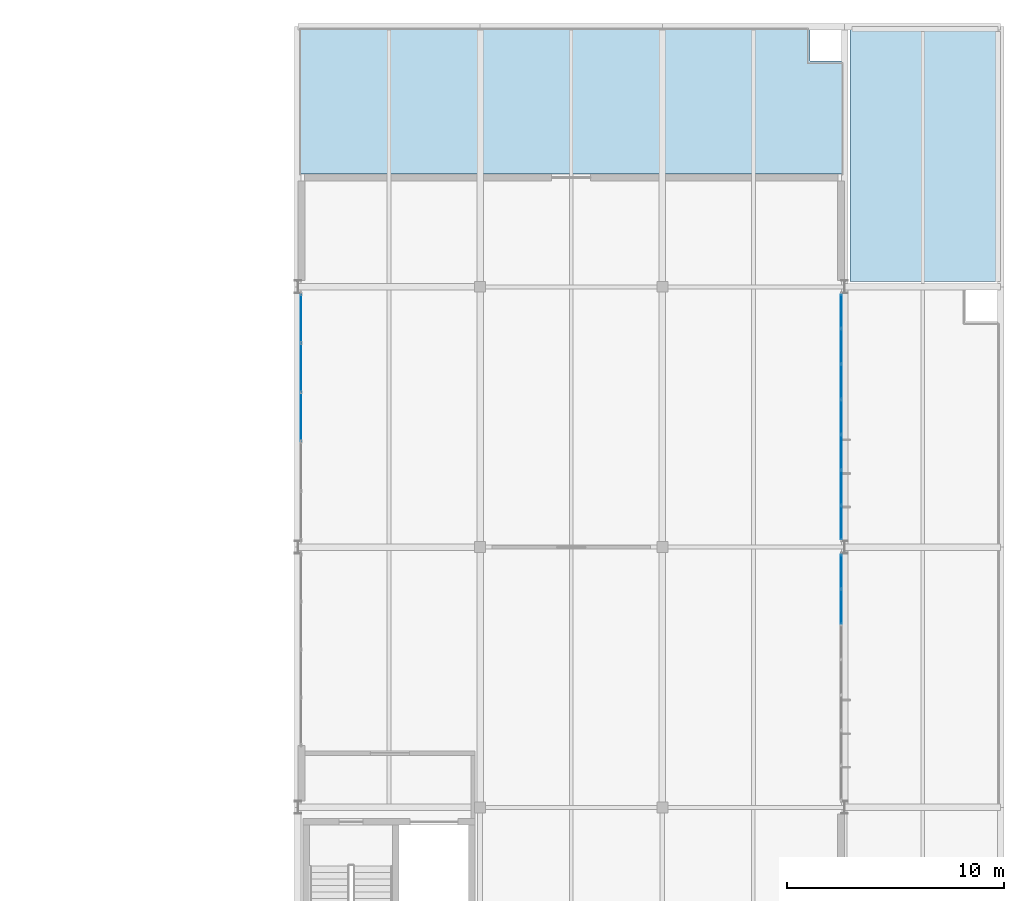
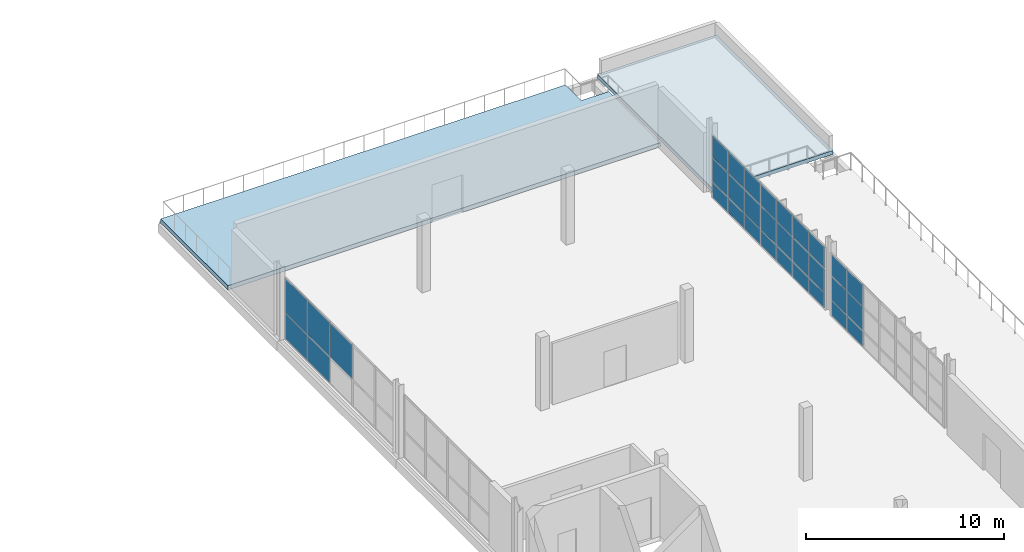
# One storey, part 92 of 109: 32 plates, 2 slabs, 3 elements without a shape of their own.
"""IFC4 building model written with IfcOpenShell, lengths in metres."""

from ifc_helpers import new_model, si_unit, direction, frame, origin, origin_2d, place, context, subcontext, project, spatial, polyline, rectangle, outline, extrude, material, layer, layer_set, type_object, element, aggregate, save


model = new_model("IFC4")

# Units and contexts
model_context = context("Model", 3, precision=1e-05, world=origin(), true_north=direction((0.0, 1.0)))
body_context = subcontext(model_context, "Body", "Model", "MODEL_VIEW")
ifc_project = project(units=[si_unit("LENGTHUNIT", "METRE"), si_unit("AREAUNIT", "SQUARE_METRE"), si_unit("VOLUMEUNIT", "CUBIC_METRE"), si_unit("PLANEANGLEUNIT", "RADIAN"), si_unit("MASSUNIT", "GRAM", prefix="KILO")], contexts=[model_context])

# Site, building, storey
site_placement = place(None, origin())
site = spatial("IfcSite", under=ifc_project, at=site_placement, CompositionType="ELEMENT")
building_placement = place(site_placement, origin())
building = spatial("IfcBuilding", under=site, at=building_placement, Name="Veltarok Museum of Natural Sciences", CompositionType="ELEMENT")
storey_placement = place(building_placement, frame((0.0, 0.0, 17.39990234375)))
storey = spatial("IfcBuildingStorey", under=building, at=storey_placement, Name="L03", CompositionType="ELEMENT", Elevation=17.39990234375)

# Slabs
ifc_material_1 = material(Name="Concrete C35/45", Category="concrete")
ifc_layer_1 = layer(ifc_material_1, 0.239990234375)
ifc_layer_set_1 = layer_set([ifc_layer_1], Name="Concrete C35/45")
slab_type_1 = type_object("IfcSlabType", Name="Insulated Flat Wing Roof Slab 240", PredefinedType="ROOF", material=ifc_layer_set_1)
slab_1_placement = place(storey_placement, frame((0.0, 0.0, -0.239990234375)))
element("IfcSlab", 1, at=slab_1_placement, inside=storey, type_object=slab_type_1, Name="Flat Wing Roof Slab RF-V5NE", PredefinedType="ROOF", context=body_context, shape_type="SweptSolid", body=[
    extrude(outline(polyline([(157.85009765625, 60.25), (157.85009765625, 72.0), (164.800048828125, 72.0), (164.800048828125, 60.25), (157.85009765625, 60.25)])), origin(), (0.0, 0.0, 1.0), 0.239990234375),
])
ifc_layer_2 = layer(ifc_material_1, 0.260009765625)
ifc_layer_set_2 = layer_set([ifc_layer_2], Name="Concrete C35/45")
slab_type_2 = type_object("IfcSlabType", Name="Insulated Walkable Terrace Deck Slab 260", PredefinedType="FLOOR", material=ifc_layer_set_2)
slab_2_placement = place(storey_placement, frame((0.0, 0.0, -0.260009765625)))
element("IfcSlab", 2, at=slab_2_placement, inside=storey, type_object=slab_type_2, Name="East Stepped Botanical Terrace", PredefinedType="FLOOR", context=body_context, shape_type="SweptSolid", body=[
    extrude(outline(polyline([(132.39990234375, 65.199951171875), (157.60009765625, 65.199951171875), (157.60009765625, 70.39990234375), (156.0, 70.39990234375), (156.0, 72.0), (132.39990234375, 72.0), (132.39990234375, 65.199951171875)])), origin(), (0.0, 0.0, 1.0), 0.260009765625),
])

# Curtain wall, plates
ifc_material_2 = material(Name="Low-iron triple insulated glass", Category="glass")
curtain_wall_type_1 = type_object("IfcCurtainWallType", Name="Curtain Wall System CW-V5E-L03-E-1140x388 (V5 East Lab L03 E-F 1140x388cm)", PredefinedType="NOTDEFINED", material=ifc_material_2)
curtain_wall_1_placement = place(storey_placement, origin())
curtain_wall_1 = element("IfcCurtainWall", 3, at=curtain_wall_1_placement, inside=storey, type_object=curtain_wall_type_1, Name="Curtain Wall CW-V5E-L03-E-1140x388 CW-0118", PredefinedType="NOTDEFINED")
ifc_layer_3 = layer(ifc_material_2, 0.028076171875)
ifc_layer_set_3 = layer_set([ifc_layer_3], Name="Low-iron triple insulated glass")
plate_type = type_object("IfcPlateType", Name="Triple Low-Iron Glazed Vision Panel 28", PredefinedType="CURTAIN_PANEL", material=ifc_layer_set_3)
plate_1_placement = place(storey_placement, frame((157.449951171875, 45.257080078125, 0.06005859375), z_axis=(0.0, 0.0, 1.0), x_axis=(0.0, 1.0, 0.0)))
plate_1 = element("IfcPlate", 4, at=plate_1_placement, type_object=plate_type, Name="CW-V5E-L03-E-1140x388 panel 6.1", PredefinedType="CURTAIN_PANEL", context=body_context, shape_type="SweptSolid", body=[
    extrude(rectangle(XDim=1.568603515625, YDim=0.028076171875, at=origin_2d()), origin(), (0.0, 0.0, 1.0), 0.909912109375),
])
plate_2_placement = place(storey_placement, frame((157.449951171875, 45.257080078125, 1.030029296875), z_axis=(0.0, 0.0, 1.0), x_axis=(0.0, 1.0, 0.0)))
plate_2 = element("IfcPlate", 5, at=plate_2_placement, type_object=plate_type, Name="CW-V5E-L03-E-1140x388 panel 6.2", PredefinedType="CURTAIN_PANEL", context=body_context, shape_type="SweptSolid", body=[
    extrude(rectangle(XDim=1.568603515625, YDim=0.028076171875, at=origin_2d()), origin(), (0.0, 0.0, 1.0), 1.43994140625),
])
plate_3_placement = place(storey_placement, frame((157.449951171875, 45.257080078125, 2.530029296875), z_axis=(0.0, 0.0, 1.0), x_axis=(0.0, 1.0, 0.0)))
plate_3 = element("IfcPlate", 6, at=plate_3_placement, type_object=plate_type, Name="CW-V5E-L03-E-1140x388 panel 6.3", PredefinedType="CURTAIN_PANEL", context=body_context, shape_type="SweptSolid", body=[
    extrude(rectangle(XDim=1.568603515625, YDim=0.028076171875, at=origin_2d()), origin(), (0.0, 0.0, 1.0), 1.2900390625),
])
plate_4_placement = place(storey_placement, frame((157.449951171875, 46.87060546875, 0.06005859375), z_axis=(0.0, 0.0, 1.0), x_axis=(0.0, 1.0, 0.0)))
plate_4 = element("IfcPlate", 7, at=plate_4_placement, type_object=plate_type, Name="CW-V5E-L03-E-1140x388 panel 7.1", PredefinedType="CURTAIN_PANEL", context=body_context, shape_type="SweptSolid", body=[
    extrude(rectangle(XDim=1.53857421875, YDim=0.028076171875, at=origin_2d()), origin(), (0.0, 0.0, 1.0), 0.909912109375),
])
plate_5_placement = place(storey_placement, frame((157.449951171875, 46.87060546875, 1.030029296875), z_axis=(0.0, 0.0, 1.0), x_axis=(0.0, 1.0, 0.0)))
plate_5 = element("IfcPlate", 8, at=plate_5_placement, type_object=plate_type, Name="CW-V5E-L03-E-1140x388 panel 7.2", PredefinedType="CURTAIN_PANEL", context=body_context, shape_type="SweptSolid", body=[
    extrude(rectangle(XDim=1.53857421875, YDim=0.028076171875, at=origin_2d()), origin(), (0.0, 0.0, 1.0), 1.43994140625),
])
plate_6_placement = place(storey_placement, frame((157.449951171875, 46.87060546875, 2.530029296875), z_axis=(0.0, 0.0, 1.0), x_axis=(0.0, 1.0, 0.0)))
plate_6 = element("IfcPlate", 9, at=plate_6_placement, type_object=plate_type, Name="CW-V5E-L03-E-1140x388 panel 7.3", PredefinedType="CURTAIN_PANEL", context=body_context, shape_type="SweptSolid", body=[
    extrude(rectangle(XDim=1.53857421875, YDim=0.028076171875, at=origin_2d()), origin(), (0.0, 0.0, 1.0), 1.2900390625),
])
aggregate(curtain_wall_1, [plate_1, plate_2, plate_3, plate_4, plate_5, plate_6])

curtain_wall_type_2 = type_object("IfcCurtainWallType", Name="Curtain Wall System CW-V5E-L03-F-1140x388 (V5 East Lab L03 F-G 1140x388cm)", PredefinedType="NOTDEFINED", material=ifc_material_2)
curtain_wall_2_placement = place(storey_placement, origin())
curtain_wall_2 = element("IfcCurtainWall", 10, at=curtain_wall_2_placement, inside=storey, type_object=curtain_wall_type_2, Name="Curtain Wall CW-V5E-L03-F-1140x388 CW-0119", PredefinedType="NOTDEFINED")
plate_7_placement = place(storey_placement, frame((157.449951171875, 49.12939453125, 0.06005859375), z_axis=(0.0, 0.0, 1.0), x_axis=(0.0, 1.0, 0.0)))
plate_7 = element("IfcPlate", 11, at=plate_7_placement, type_object=plate_type, Name="CW-V5E-L03-F-1140x388 panel 1.1", PredefinedType="CURTAIN_PANEL", context=body_context, shape_type="SweptSolid", body=[
    extrude(rectangle(XDim=1.53857421875, YDim=0.028076171875, at=origin_2d()), origin(), (0.0, 0.0, 1.0), 0.909912109375),
])
plate_8_placement = place(storey_placement, frame((157.449951171875, 49.12939453125, 1.030029296875), z_axis=(0.0, 0.0, 1.0), x_axis=(0.0, 1.0, 0.0)))
plate_8 = element("IfcPlate", 12, at=plate_8_placement, type_object=plate_type, Name="CW-V5E-L03-F-1140x388 panel 1.2", PredefinedType="CURTAIN_PANEL", context=body_context, shape_type="SweptSolid", body=[
    extrude(rectangle(XDim=1.53857421875, YDim=0.028076171875, at=origin_2d()), origin(), (0.0, 0.0, 1.0), 1.43994140625),
])
plate_9_placement = place(storey_placement, frame((157.449951171875, 49.12939453125, 2.530029296875), z_axis=(0.0, 0.0, 1.0), x_axis=(0.0, 1.0, 0.0)))
plate_9 = element("IfcPlate", 13, at=plate_9_placement, type_object=plate_type, Name="CW-V5E-L03-F-1140x388 panel 1.3", PredefinedType="CURTAIN_PANEL", context=body_context, shape_type="SweptSolid", body=[
    extrude(rectangle(XDim=1.53857421875, YDim=0.028076171875, at=origin_2d()), origin(), (0.0, 0.0, 1.0), 1.2900390625),
])
plate_10_placement = place(storey_placement, frame((157.449951171875, 50.742919921875, 0.06005859375), z_axis=(0.0, 0.0, 1.0), x_axis=(0.0, 1.0, 0.0)))
plate_10 = element("IfcPlate", 14, at=plate_10_placement, type_object=plate_type, Name="CW-V5E-L03-F-1140x388 panel 2.1", PredefinedType="CURTAIN_PANEL", context=body_context, shape_type="SweptSolid", body=[
    extrude(rectangle(XDim=1.568603515625, YDim=0.028076171875, at=origin_2d()), origin(), (0.0, 0.0, 1.0), 0.909912109375),
])
plate_11_placement = place(storey_placement, frame((157.449951171875, 50.742919921875, 1.030029296875), z_axis=(0.0, 0.0, 1.0), x_axis=(0.0, 1.0, 0.0)))
plate_11 = element("IfcPlate", 15, at=plate_11_placement, type_object=plate_type, Name="CW-V5E-L03-F-1140x388 panel 2.2", PredefinedType="CURTAIN_PANEL", context=body_context, shape_type="SweptSolid", body=[
    extrude(rectangle(XDim=1.568603515625, YDim=0.028076171875, at=origin_2d()), origin(), (0.0, 0.0, 1.0), 1.43994140625),
])
plate_12_placement = place(storey_placement, frame((157.449951171875, 50.742919921875, 2.530029296875), z_axis=(0.0, 0.0, 1.0), x_axis=(0.0, 1.0, 0.0)))
plate_12 = element("IfcPlate", 16, at=plate_12_placement, type_object=plate_type, Name="CW-V5E-L03-F-1140x388 panel 2.3", PredefinedType="CURTAIN_PANEL", context=body_context, shape_type="SweptSolid", body=[
    extrude(rectangle(XDim=1.568603515625, YDim=0.028076171875, at=origin_2d()), origin(), (0.0, 0.0, 1.0), 1.2900390625),
])
plate_13_placement = place(storey_placement, frame((157.449951171875, 52.371337890625, 0.06005859375), z_axis=(0.0, 0.0, 1.0), x_axis=(0.0, 1.0, 0.0)))
plate_13 = element("IfcPlate", 17, at=plate_13_placement, type_object=plate_type, Name="CW-V5E-L03-F-1140x388 panel 3.1", PredefinedType="CURTAIN_PANEL", context=body_context, shape_type="SweptSolid", body=[
    extrude(rectangle(XDim=1.568603515625, YDim=0.028076171875, at=origin_2d()), origin(), (0.0, 0.0, 1.0), 0.909912109375),
])
plate_14_placement = place(storey_placement, frame((157.449951171875, 52.371337890625, 1.030029296875), z_axis=(0.0, 0.0, 1.0), x_axis=(0.0, 1.0, 0.0)))
plate_14 = element("IfcPlate", 18, at=plate_14_placement, type_object=plate_type, Name="CW-V5E-L03-F-1140x388 panel 3.2", PredefinedType="CURTAIN_PANEL", context=body_context, shape_type="SweptSolid", body=[
    extrude(rectangle(XDim=1.568603515625, YDim=0.028076171875, at=origin_2d()), origin(), (0.0, 0.0, 1.0), 1.43994140625),
])
plate_15_placement = place(storey_placement, frame((157.449951171875, 52.371337890625, 2.530029296875), z_axis=(0.0, 0.0, 1.0), x_axis=(0.0, 1.0, 0.0)))
plate_15 = element("IfcPlate", 19, at=plate_15_placement, type_object=plate_type, Name="CW-V5E-L03-F-1140x388 panel 3.3", PredefinedType="CURTAIN_PANEL", context=body_context, shape_type="SweptSolid", body=[
    extrude(rectangle(XDim=1.568603515625, YDim=0.028076171875, at=origin_2d()), origin(), (0.0, 0.0, 1.0), 1.2900390625),
])
plate_16_placement = place(storey_placement, frame((157.449951171875, 54.0, 0.06005859375), z_axis=(0.0, 0.0, 1.0), x_axis=(0.0, 1.0, 0.0)))
plate_16 = element("IfcPlate", 20, at=plate_16_placement, type_object=plate_type, Name="CW-V5E-L03-F-1140x388 panel 4.1", PredefinedType="CURTAIN_PANEL", context=body_context, shape_type="SweptSolid", body=[
    extrude(rectangle(XDim=1.568603515625, YDim=0.028076171875, at=origin_2d()), origin(), (0.0, 0.0, 1.0), 0.909912109375),
])
plate_17_placement = place(storey_placement, frame((157.449951171875, 54.0, 1.030029296875), z_axis=(0.0, 0.0, 1.0), x_axis=(0.0, 1.0, 0.0)))
plate_17 = element("IfcPlate", 21, at=plate_17_placement, type_object=plate_type, Name="CW-V5E-L03-F-1140x388 panel 4.2", PredefinedType="CURTAIN_PANEL", context=body_context, shape_type="SweptSolid", body=[
    extrude(rectangle(XDim=1.568603515625, YDim=0.028076171875, at=origin_2d()), origin(), (0.0, 0.0, 1.0), 1.43994140625),
])
plate_18_placement = place(storey_placement, frame((157.449951171875, 54.0, 2.530029296875), z_axis=(0.0, 0.0, 1.0), x_axis=(0.0, 1.0, 0.0)))
plate_18 = element("IfcPlate", 22, at=plate_18_placement, type_object=plate_type, Name="CW-V5E-L03-F-1140x388 panel 4.3", PredefinedType="CURTAIN_PANEL", context=body_context, shape_type="SweptSolid", body=[
    extrude(rectangle(XDim=1.568603515625, YDim=0.028076171875, at=origin_2d()), origin(), (0.0, 0.0, 1.0), 1.2900390625),
])
plate_19_placement = place(storey_placement, frame((157.449951171875, 55.628662109375, 0.06005859375), z_axis=(0.0, 0.0, 1.0), x_axis=(0.0, 1.0, 0.0)))
plate_19 = element("IfcPlate", 23, at=plate_19_placement, type_object=plate_type, Name="CW-V5E-L03-F-1140x388 panel 5.1", PredefinedType="CURTAIN_PANEL", context=body_context, shape_type="SweptSolid", body=[
    extrude(rectangle(XDim=1.568603515625, YDim=0.028076171875, at=origin_2d()), origin(), (0.0, 0.0, 1.0), 0.909912109375),
])
plate_20_placement = place(storey_placement, frame((157.449951171875, 55.628662109375, 1.030029296875), z_axis=(0.0, 0.0, 1.0), x_axis=(0.0, 1.0, 0.0)))
plate_20 = element("IfcPlate", 24, at=plate_20_placement, type_object=plate_type, Name="CW-V5E-L03-F-1140x388 panel 5.2", PredefinedType="CURTAIN_PANEL", context=body_context, shape_type="SweptSolid", body=[
    extrude(rectangle(XDim=1.568603515625, YDim=0.028076171875, at=origin_2d()), origin(), (0.0, 0.0, 1.0), 1.43994140625),
])
plate_21_placement = place(storey_placement, frame((157.449951171875, 55.628662109375, 2.530029296875), z_axis=(0.0, 0.0, 1.0), x_axis=(0.0, 1.0, 0.0)))
plate_21 = element("IfcPlate", 25, at=plate_21_placement, type_object=plate_type, Name="CW-V5E-L03-F-1140x388 panel 5.3", PredefinedType="CURTAIN_PANEL", context=body_context, shape_type="SweptSolid", body=[
    extrude(rectangle(XDim=1.568603515625, YDim=0.028076171875, at=origin_2d()), origin(), (0.0, 0.0, 1.0), 1.2900390625),
])
plate_22_placement = place(storey_placement, frame((157.449951171875, 57.257080078125, 0.06005859375), z_axis=(0.0, 0.0, 1.0), x_axis=(0.0, 1.0, 0.0)))
plate_22 = element("IfcPlate", 26, at=plate_22_placement, type_object=plate_type, Name="CW-V5E-L03-F-1140x388 panel 6.1", PredefinedType="CURTAIN_PANEL", context=body_context, shape_type="SweptSolid", body=[
    extrude(rectangle(XDim=1.568603515625, YDim=0.028076171875, at=origin_2d()), origin(), (0.0, 0.0, 1.0), 0.909912109375),
])
plate_23_placement = place(storey_placement, frame((157.449951171875, 57.257080078125, 1.030029296875), z_axis=(0.0, 0.0, 1.0), x_axis=(0.0, 1.0, 0.0)))
plate_23 = element("IfcPlate", 27, at=plate_23_placement, type_object=plate_type, Name="CW-V5E-L03-F-1140x388 panel 6.2", PredefinedType="CURTAIN_PANEL", context=body_context, shape_type="SweptSolid", body=[
    extrude(rectangle(XDim=1.568603515625, YDim=0.028076171875, at=origin_2d()), origin(), (0.0, 0.0, 1.0), 1.43994140625),
])
plate_24_placement = place(storey_placement, frame((157.449951171875, 57.257080078125, 2.530029296875), z_axis=(0.0, 0.0, 1.0), x_axis=(0.0, 1.0, 0.0)))
plate_24 = element("IfcPlate", 28, at=plate_24_placement, type_object=plate_type, Name="CW-V5E-L03-F-1140x388 panel 6.3", PredefinedType="CURTAIN_PANEL", context=body_context, shape_type="SweptSolid", body=[
    extrude(rectangle(XDim=1.568603515625, YDim=0.028076171875, at=origin_2d()), origin(), (0.0, 0.0, 1.0), 1.2900390625),
])
plate_25_placement = place(storey_placement, frame((157.449951171875, 58.87060546875, 0.06005859375), z_axis=(0.0, 0.0, 1.0), x_axis=(0.0, 1.0, 0.0)))
plate_25 = element("IfcPlate", 29, at=plate_25_placement, type_object=plate_type, Name="CW-V5E-L03-F-1140x388 panel 7.1", PredefinedType="CURTAIN_PANEL", context=body_context, shape_type="SweptSolid", body=[
    extrude(rectangle(XDim=1.53857421875, YDim=0.028076171875, at=origin_2d()), origin(), (0.0, 0.0, 1.0), 0.909912109375),
])
plate_26_placement = place(storey_placement, frame((157.449951171875, 58.87060546875, 1.030029296875), z_axis=(0.0, 0.0, 1.0), x_axis=(0.0, 1.0, 0.0)))
plate_26 = element("IfcPlate", 30, at=plate_26_placement, type_object=plate_type, Name="CW-V5E-L03-F-1140x388 panel 7.2", PredefinedType="CURTAIN_PANEL", context=body_context, shape_type="SweptSolid", body=[
    extrude(rectangle(XDim=1.53857421875, YDim=0.028076171875, at=origin_2d()), origin(), (0.0, 0.0, 1.0), 1.43994140625),
])
plate_27_placement = place(storey_placement, frame((157.449951171875, 58.87060546875, 2.530029296875), z_axis=(0.0, 0.0, 1.0), x_axis=(0.0, 1.0, 0.0)))
plate_27 = element("IfcPlate", 31, at=plate_27_placement, type_object=plate_type, Name="CW-V5E-L03-F-1140x388 panel 7.3", PredefinedType="CURTAIN_PANEL", context=body_context, shape_type="SweptSolid", body=[
    extrude(rectangle(XDim=1.53857421875, YDim=0.028076171875, at=origin_2d()), origin(), (0.0, 0.0, 1.0), 1.2900390625),
])
aggregate(curtain_wall_2, [plate_7, plate_8, plate_9, plate_10, plate_11, plate_12, plate_13, plate_14, plate_15, plate_16, plate_17, plate_18, plate_19, plate_20, plate_21, plate_22, plate_23, plate_24, plate_25, plate_26, plate_27])

curtain_wall_type_3 = type_object("IfcCurtainWallType", Name="Curtain Wall System CW-V5CW-L03-1-1140x383 (CW-V5CW L03 1140x383cm)", PredefinedType="NOTDEFINED", material=ifc_material_2)
curtain_wall_3_placement = place(storey_placement, origin())
curtain_wall_3 = element("IfcCurtainWall", 32, at=curtain_wall_3_placement, inside=storey, type_object=curtain_wall_type_3, Name="Curtain Wall CW-V5CW-L03-1-1140x383 CW-0181", PredefinedType="NOTDEFINED")
plate_28_placement = place(storey_placement, frame((132.550048828125, 54.0, 1.67822265625), z_axis=(0.0, 0.0, 1.0), x_axis=(0.0, 1.0, 0.0)))
plate_28 = element("IfcPlate", 33, at=plate_28_placement, type_object=plate_type, Name="CW-V5CW-L03-1-1140x383 panel 3.2", PredefinedType="CURTAIN_PANEL", context=body_context, shape_type="SweptSolid", body=[
    extrude(rectangle(XDim=2.219970703125, YDim=0.028076171875, at=origin_2d()), origin(), (0.0, 0.0, 1.0), 2.092041015625),
])
plate_29_placement = place(storey_placement, frame((132.550048828125, 56.280029296875, 0.05810546875), z_axis=(0.0, 0.0, 1.0), x_axis=(0.0, 1.0, 0.0)))
plate_29 = element("IfcPlate", 34, at=plate_29_placement, type_object=plate_type, Name="CW-V5CW-L03-1-1140x383 panel 4.1", PredefinedType="CURTAIN_PANEL", context=body_context, shape_type="SweptSolid", body=[
    extrude(rectangle(XDim=2.219970703125, YDim=0.028076171875, at=origin_2d()), origin(), (0.0, 0.0, 1.0), 1.56005859375),
])
plate_30_placement = place(storey_placement, frame((132.550048828125, 56.280029296875, 1.67822265625), z_axis=(0.0, 0.0, 1.0), x_axis=(0.0, 1.0, 0.0)))
plate_30 = element("IfcPlate", 35, at=plate_30_placement, type_object=plate_type, Name="CW-V5CW-L03-1-1140x383 panel 4.2", PredefinedType="CURTAIN_PANEL", context=body_context, shape_type="SweptSolid", body=[
    extrude(rectangle(XDim=2.219970703125, YDim=0.028076171875, at=origin_2d()), origin(), (0.0, 0.0, 1.0), 2.092041015625),
])
plate_31_placement = place(storey_placement, frame((132.550048828125, 58.544921875, 0.05810546875), z_axis=(0.0, 0.0, 1.0), x_axis=(0.0, 1.0, 0.0)))
plate_31 = element("IfcPlate", 36, at=plate_31_placement, type_object=plate_type, Name="CW-V5CW-L03-1-1140x383 panel 5.1", PredefinedType="CURTAIN_PANEL", context=body_context, shape_type="SweptSolid", body=[
    extrude(rectangle(XDim=2.18994140625, YDim=0.028076171875, at=origin_2d()), origin(), (0.0, 0.0, 1.0), 1.56005859375),
])
plate_32_placement = place(storey_placement, frame((132.550048828125, 58.544921875, 1.67822265625), z_axis=(0.0, 0.0, 1.0), x_axis=(0.0, 1.0, 0.0)))
plate_32 = element("IfcPlate", 37, at=plate_32_placement, type_object=plate_type, Name="CW-V5CW-L03-1-1140x383 panel 5.2", PredefinedType="CURTAIN_PANEL", context=body_context, shape_type="SweptSolid", body=[
    extrude(rectangle(XDim=2.18994140625, YDim=0.028076171875, at=origin_2d()), origin(), (0.0, 0.0, 1.0), 2.092041015625),
])
aggregate(curtain_wall_3, [plate_28, plate_29, plate_30, plate_31, plate_32])

save(model, "model.ifc")
